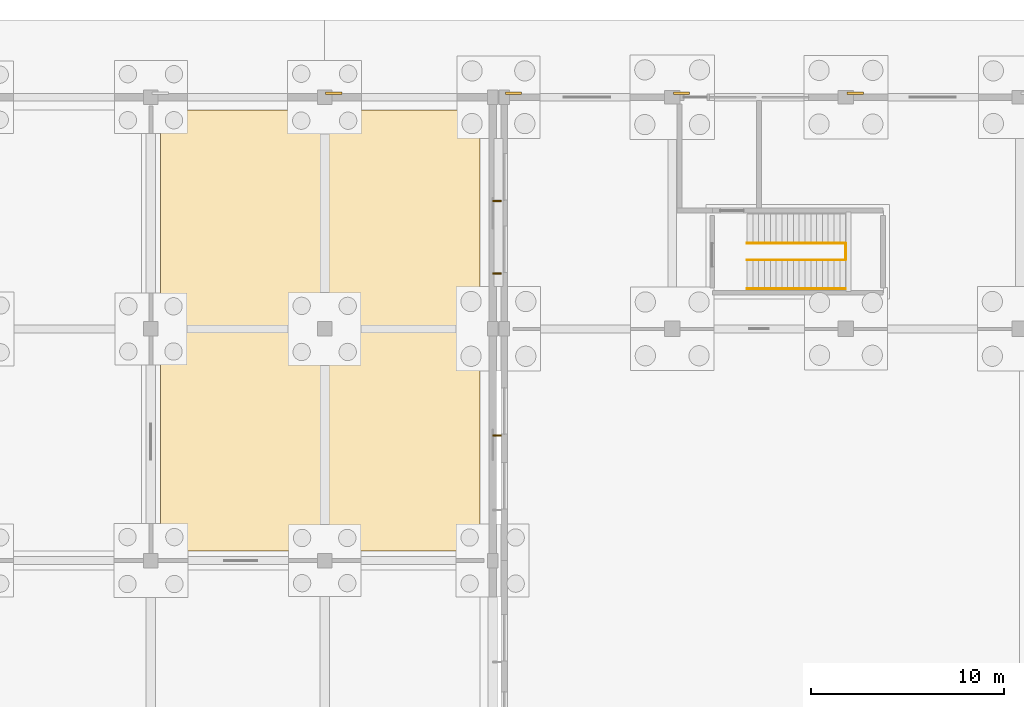
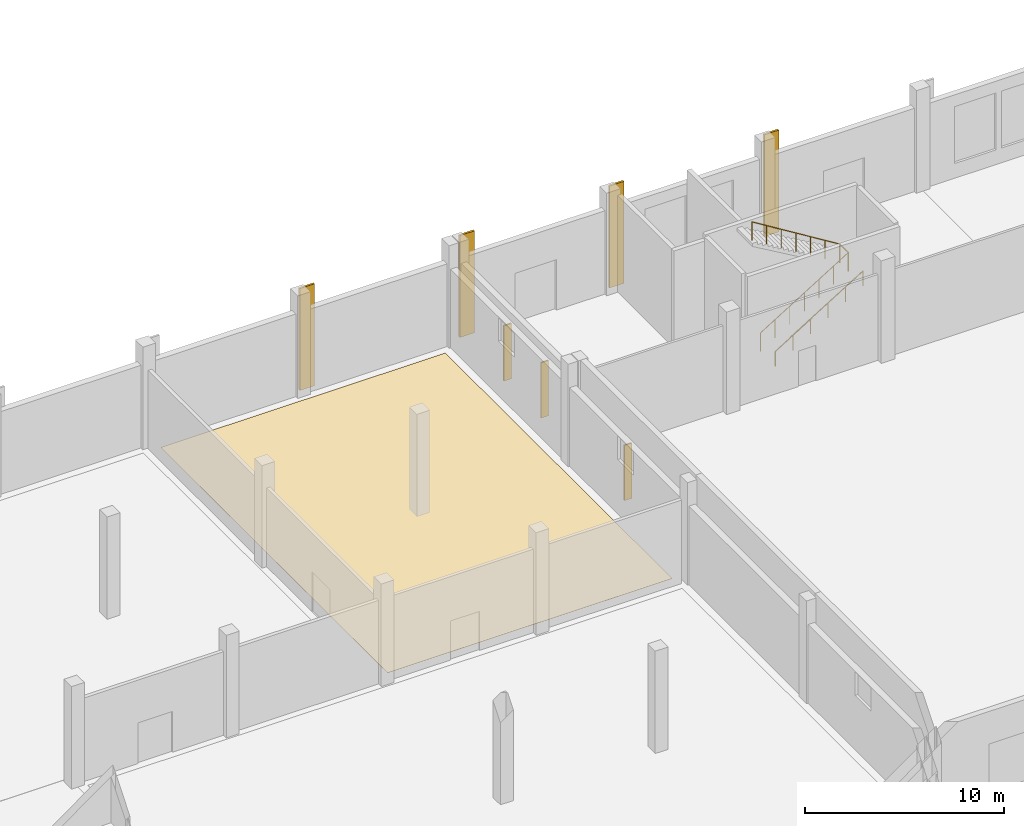
# One storey, part 96 of 99: 5 coverings, 4 railings, 3 shading devices.
"""IFC4 building model written with IfcOpenShell, lengths in metres."""

import ifcopenshell
import ifcopenshell.guid

model = None  # the IFC model being written
_history = None  # IfcOwnerHistory: only IFC2X3 demands one
_inside = {}  # id of a spatial element -> (the spatial element, [elements in it])
_under = {}  # id of a project, library or spatial element -> (it, [spatial elements below it])
_declared = {}  # id of a project -> (the project, [libraries it declares])
_typed = {}  # id of a type object -> (the type object, [elements of that type])
_made_of = {}  # id of a material, layer set ... -> (it, [elements and type objects made of it])


def new_model(schema):
    """Start an empty IFC model of exactly this schema.

    Asked for "IFC4X3", IfcOpenShell would pick the latest addendum, in which some entities
    have other attributes; the version numbers below select the first issue.
    IFC2X3 requires an IfcOwnerHistory on every rooted entity: one is made here for all.
    """
    global model, _history
    if schema == "IFC4X3":
        model = ifcopenshell.file(schema_version=(4, 3, 0, 0))
    else:
        model = ifcopenshell.file(schema=schema)
    _inside.clear()
    _under.clear()
    _declared.clear()
    _typed.clear()
    _made_of.clear()
    _history = None
    if model.schema == "IFC2X3":
        org = make("IfcOrganization", Name="unknown")
        user = make(
            "IfcPersonAndOrganization",
            ThePerson=make("IfcPerson", FamilyName="unknown"),
            TheOrganization=org,
        )
        app = make(
            "IfcApplication",
            ApplicationDeveloper=org,
            Version="unknown",
            ApplicationFullName="unknown",
            ApplicationIdentifier="unknown",
        )
        _history = make(
            "IfcOwnerHistory",
            OwningUser=user,
            OwningApplication=app,
            ChangeAction="ADDED",
            CreationDate=0,
        )
    return model


def make(cls, **values):
    """One entity of the class cls with the attributes given. An attribute that is None is left unset."""
    return model.create_entity(
        cls, **{name: value for name, value in values.items() if value is not None}
    )


def rooted(cls, **values):
    """An entity with a GlobalId (a new one), such as an element, a storey or a relation."""
    return make(cls, GlobalId=ifcopenshell.guid.new(), OwnerHistory=_history, **values)


def si_unit(unit_type, name, prefix=None):
    """IfcSIUnit, for example si_unit("LENGTHUNIT", "METRE", prefix="MILLI")."""
    return make("IfcSIUnit", UnitType=unit_type, Prefix=prefix, Name=name)


def assignment(units):
    """IfcUnitAssignment: the units of a project."""
    return None if units is None else make("IfcUnitAssignment", Units=units)


def point(xyz):
    """IfcCartesianPoint."""
    return None if xyz is None else make("IfcCartesianPoint", Coordinates=xyz)


def direction(xyz):
    """IfcDirection."""
    return None if xyz is None else make("IfcDirection", DirectionRatios=xyz)


def frame(location, z_axis=None, x_axis=None):
    """IfcAxis2Placement3D, a coordinate frame: its origin and axes. An axis left out is left unset."""
    return make(
        "IfcAxis2Placement3D",
        Location=point(location),
        Axis=direction(z_axis),
        RefDirection=direction(x_axis),
    )


def frame_2d(location, x_axis=None):
    """IfcAxis2Placement2D, a coordinate frame in the plane: its origin and x axis."""
    return make(
        "IfcAxis2Placement2D", Location=point(location), RefDirection=direction(x_axis)
    )


def origin():
    """The frame at (0, 0, 0) with its axes left unset."""
    return frame((0.0, 0.0, 0.0))


def origin_2d():
    """The frame at (0, 0) in the plane with its x axis left unset."""
    return frame_2d((0.0, 0.0))


def place(relative_to, where):
    """IfcLocalPlacement: puts the frame where relative to a parent placement (None: the world)."""
    return make(
        "IfcLocalPlacement", PlacementRelTo=relative_to, RelativePlacement=where
    )


def context(
    kind, dimensions, precision=None, world=None, true_north=None, identifier=None
):
    """IfcGeometricRepresentationContext, for example the 3D "Model" context."""
    return make(
        "IfcGeometricRepresentationContext",
        ContextIdentifier=identifier,
        ContextType=kind,
        CoordinateSpaceDimension=dimensions,
        Precision=precision,
        WorldCoordinateSystem=world,
        TrueNorth=true_north,
    )


def subcontext(parent, identifier, kind, view, scale=None):
    """IfcGeometricRepresentationSubContext, for example "Body" below "Model"."""
    return make(
        "IfcGeometricRepresentationSubContext",
        ContextIdentifier=identifier,
        ContextType=kind,
        ParentContext=parent,
        TargetScale=scale,
        TargetView=view,
    )


def project(units=None, contexts=None):
    """IfcProject with its units and contexts."""
    return rooted(
        "IfcProject",
        Name="project",
        RepresentationContexts=contexts,
        UnitsInContext=assignment(units),
    )


def spatial(cls, under=None, at=None, **own):
    """A site, building, storey or space (cls), placed at a placement, below another one or the project."""
    s = rooted(cls, ObjectPlacement=at, **own)
    if under is not None:
        _under.setdefault(under.id(), (under, []))[1].append(s)
    return s


def polyline(points):
    """IfcPolyline through the points."""
    return make("IfcPolyline", Points=[point(p) for p in points])


def profile(cls, at=None, kind="AREA", **sizes):
    """A parametric profile (cls). Its sizes go by their IFC names, for example OverallWidth=200.0."""
    return make(cls, ProfileType=kind, Position=at, **sizes)


def rectangle(**sizes):
    """IfcRectangleProfileDef."""
    return profile("IfcRectangleProfileDef", **sizes)


def circle(**sizes):
    """IfcCircleProfileDef."""
    return profile("IfcCircleProfileDef", **sizes)


def outline(outer, holes=None, kind="AREA"):
    """IfcArbitraryClosedProfileDef: a profile drawn as a closed curve; with holes, ...WithVoids."""
    if holes is None:
        return make("IfcArbitraryClosedProfileDef", ProfileType=kind, OuterCurve=outer)
    return make(
        "IfcArbitraryProfileDefWithVoids",
        ProfileType=kind,
        OuterCurve=outer,
        InnerCurves=holes,
    )


def extrude(swept, where, along, depth):
    """IfcExtrudedAreaSolid: the profile swept, set in the frame where, extruded along a direction by depth."""
    return make(
        "IfcExtrudedAreaSolid",
        SweptArea=swept,
        Position=where,
        ExtrudedDirection=direction(along),
        Depth=depth,
    )


def shape(context_of_items, identifier, shape_type, items):
    """IfcShapeRepresentation: the items that make up one representation, for example the "Body"."""
    return make(
        "IfcShapeRepresentation",
        ContextOfItems=context_of_items,
        RepresentationIdentifier=identifier,
        RepresentationType=shape_type,
        Items=items,
    )


def material(Name=None, Category=None):
    """IfcMaterial."""
    return make("IfcMaterial", Name=Name, Category=Category)


def layer(
    of_material, thickness, ventilated=None, Name=None, Category=None, Priority=None
):
    """IfcMaterialLayer: one layer of a wall or slab, of a material (None: an air gap)."""
    return make(
        "IfcMaterialLayer",
        Material=of_material,
        LayerThickness=thickness,
        IsVentilated=ventilated,
        Name=Name,
        Category=Category,
        Priority=Priority,
    )


def layer_set(layers, Name=None):
    """IfcMaterialLayerSet."""
    return make("IfcMaterialLayerSet", MaterialLayers=layers, LayerSetName=Name)


def made_of(thing, what):
    """Note that an element or type object is made of a material, layer set ...; save() writes the relation."""
    if what is not None:
        _made_of.setdefault(what.id(), (what, []))[1].append(thing)
    return thing


def type_object(cls, material=None, **own):
    """A type object (cls), such as IfcWallType, which elements share."""
    return made_of(rooted(cls, **own), material)


def element(
    cls,
    number,
    at=None,
    inside=None,
    cuts=None,
    type_object=None,
    material=None,
    context=None,
    identifier="Body",
    shape_type=None,
    held_by="IfcProductDefinitionShape",
    body=None,
    shapes=None,
    **own,
):
    """One element of the class cls, such as IfcWall. Its Tag is "e" and its number.

    at: its placement. inside: the storey or other place that contains it. cuts: it is an
    opening in that element (IfcRelVoidsElement). A single representation is given by context,
    identifier, shape_type and body (its items); several are given by shapes. held_by: the class
    of the entity that holds the representations. save() writes the other relations.
    """
    e = rooted(cls, Tag="e%d" % number, ObjectPlacement=at, **own)
    if body is not None:
        shapes = [shape(context, identifier, shape_type, body)]
    if shapes is not None:
        e.Representation = make(held_by, Representations=shapes)
    if inside is not None:
        _inside.setdefault(inside.id(), (inside, []))[1].append(e)
    if cuts is not None:
        rooted(
            "IfcRelVoidsElement", RelatingBuildingElement=cuts, RelatedOpeningElement=e
        )
    if type_object is not None:
        _typed.setdefault(type_object.id(), (type_object, []))[1].append(e)
    return made_of(e, material)


def aggregate(whole, parts):
    """IfcRelAggregates: a whole, such as a stair, and the parts it consists of."""
    return rooted("IfcRelAggregates", RelatingObject=whole, RelatedObjects=parts)


def save(model, path):
    """Write the relations noted so far, then the file.

    IfcRelAggregates (storeys below a building ...), IfcRelContainedInSpatialStructure (elements
    in a storey), IfcRelDefinesByType, IfcRelAssociatesMaterial and IfcRelDeclares: one each for
    every whole, place, type object, material and project.
    """
    for whole, parts in _under.values():
        aggregate(whole, parts)
    for where, things in _inside.values():
        rooted(
            "IfcRelContainedInSpatialStructure",
            RelatedElements=things,
            RelatingStructure=where,
        )
    for kind, things in _typed.values():
        rooted("IfcRelDefinesByType", RelatedObjects=things, RelatingType=kind)
    for what, things in _made_of.values():
        rooted("IfcRelAssociatesMaterial", RelatedObjects=things, RelatingMaterial=what)
    for by, libraries in _declared.values():
        rooted("IfcRelDeclares", RelatingContext=by, RelatedDefinitions=libraries)
    model.write(path)


model = new_model("IFC4")

# Units and contexts
model_context = context("Model", 3, precision=1e-05, world=origin(), true_north=direction((0.0, 1.0)))
body_context = subcontext(model_context, "Body", "Model", "MODEL_VIEW")
ifc_project = project(units=[si_unit("LENGTHUNIT", "METRE"), si_unit("AREAUNIT", "SQUARE_METRE"), si_unit("VOLUMEUNIT", "CUBIC_METRE"), si_unit("PLANEANGLEUNIT", "RADIAN"), si_unit("MASSUNIT", "GRAM", prefix="KILO")], contexts=[model_context])

# Site, building, storey
site_placement = place(None, origin())
site = spatial("IfcSite", under=ifc_project, at=site_placement, CompositionType="ELEMENT")
building_placement = place(site_placement, origin())
building = spatial("IfcBuilding", under=site, at=building_placement, Name="Zacnel Wholesale Market", CompositionType="ELEMENT")
storey_placement = place(building_placement, origin())
storey = spatial("IfcBuildingStorey", under=building, at=storey_placement, Name="L01", CompositionType="ELEMENT", Elevation=0.0)

# Coverings
ifc_material_1 = material(Name="Honed Yucatan Maya cream limestone", Category="masonry")
ifc_layer_1 = layer(ifc_material_1, 0.090087890625)
ifc_layer_set_1 = layer_set([ifc_layer_1], Name="Honed Yucatan Maya cream limestone")
covering_type_1 = type_object("IfcCoveringType", Name="COV-CLAD-FRET", PredefinedType="CLADDING", material=ifc_layer_set_1)
for number, where, z_axis, x_axis, name in (
    (1, (63.47998046875, 144.2099609375, 0.02001953125), (0.0, 0.0, 1.0), (1.0, 0.0, 0.0), "Fluted Mayan-Deco limestone pilaster L01-0025"),
    (2, (72.780029296875, 144.2099609375, 0.02001953125), (0.0, 0.0, 1.0), (1.0, 0.0, 0.0), "Fluted Mayan-Deco limestone pilaster L01-0062"),
    (3, (81.47998046875, 144.2099609375, 0.02001953125), (0.0, 0.0, 1.0), (1.0, 0.0, 0.0), "Fluted Mayan-Deco limestone pilaster L01-0063"),
    (4, (90.47998046875, 144.2099609375, 0.02001953125), (0.0, 0.0, 1.0), (1.0, 0.0, 0.0), "Fluted Mayan-Deco limestone pilaster L01-0064"),
):
    element("IfcCovering", number, at=place(storey_placement, frame(where, z_axis=z_axis, x_axis=x_axis)), inside=storey, type_object=covering_type_1, Name=name, PredefinedType="CLADDING", context=body_context, shape_type="SweptSolid", body=[
        extrude(rectangle(XDim=0.85009765625, YDim=0.1201171875, at=origin_2d()), origin(), (0.0, 0.0, 1.0), 6.260009765625),
    ])
ifc_material_2 = material(Name="Food-grade epoxy resin flooring")
ifc_layer_2 = layer(ifc_material_2, 0.011962890625)
ifc_layer_set_2 = layer_set([ifc_layer_2], Name="Food-grade epoxy resin flooring")
covering_type_2 = type_object("IfcCoveringType", Name="COV-FLR-EPOXY-12", PredefinedType="FLOORING", material=ifc_layer_set_2)
covering_placement = place(storey_placement, origin())
element("IfcCovering", 5, at=covering_placement, inside=storey, type_object=covering_type_2, Name="Hygienic epoxy floor finish L01-316", PredefinedType="FLOORING", context=body_context, shape_type="SweptSolid", body=[
    extrude(outline(polyline([(54.5, 120.5), (71.050048828125, 120.5), (71.050048828125, 143.35009765625), (54.5, 143.35009765625), (54.5, 120.5)])), origin(), (0.0, 0.0, 1.0), 0.011962890625),
])

# Railings
ifc_material_3 = material(Name="Galvanized steel", Category="steel")
railing_type_1 = type_object("IfcRailingType", Name="RAL-HANDRAIL-920", PredefinedType="HANDRAIL", material=ifc_material_3)
railing_1_placement = place(storey_placement, frame((84.8798828125, 134.080078125, 0.0)))
element("IfcRailing", 6, at=railing_1_placement, inside=storey, type_object=railing_type_1, Name="Stair ST-20 wall handrail", PredefinedType="HANDRAIL", context=body_context, shape_type="SweptSolid", body=[
    extrude(circle(Radius=0.02099609375, at=origin_2d()), frame((0.0, 0.0, 0.89892578125), z_axis=(0.850809779473, 0.0, 0.52547380444), x_axis=(0.0, 1.0, 0.0)), (0.0, 0.0, 1.0), 5.994384765625),
    extrude(circle(Radius=0.01806640625, at=origin_2d()), origin(), (0.0, 0.0, 1.0), 0.8779296875),
    extrude(circle(Radius=0.01806640625, at=origin_2d()), frame((1.02001953125, 0.0, 0.6298828125)), (0.0, 0.0, 1.0), 0.8779296875),
    extrude(circle(Radius=0.01806640625, at=origin_2d()), frame((2.0400390625, 0.0, 1.260009765625)), (0.0, 0.0, 1.0), 0.8779296875),
    extrude(circle(Radius=0.01806640625, at=origin_2d()), frame((3.06005859375, 0.0, 1.889892578125)), (0.0, 0.0, 1.0), 0.8779296875),
    extrude(circle(Radius=0.01806640625, at=origin_2d()), frame((4.080078125, 0.0, 2.52001953125)), (0.0, 0.0, 1.0), 0.8779296875),
    extrude(circle(Radius=0.01806640625, at=origin_2d()), frame((5.10009765625, 0.0, 3.14990234375)), (0.0, 0.0, 1.0), 0.8779296875),
])
ifc_material_4 = material(Name="Galvanized steel", Category="steel")
railing_type_2 = type_object("IfcRailingType", Name="RAL-STAIR-GD1150", PredefinedType="BALUSTRADE", material=ifc_material_4)
railing_2_placement = place(storey_placement, frame((84.8798828125, 135.570068359375, 0.0)))
element("IfcRailing", 7, at=railing_2_placement, inside=storey, type_object=railing_type_2, Name="Stair balustrade INT-STAIR-ST-20-GDIN-1", PredefinedType="BALUSTRADE", context=body_context, shape_type="SweptSolid", body=[
    extrude(circle(Radius=0.02392578125, at=origin_2d()), frame((0.0, 0.0, 1.1259765625), z_axis=(0.850809779473, 0.0, 0.52547380444), x_axis=(0.0, 1.0, 0.0)), (0.0, 0.0, 1.0), 5.994384765625),
    extrude(circle(Radius=0.02099609375, at=origin_2d()), origin(), (0.0, 0.0, 1.0), 1.101806640625),
    extrude(circle(Radius=0.02099609375, at=origin_2d()), frame((0.85009765625, 0.0, 0.52490234375)), (0.0, 0.0, 1.0), 1.101806640625),
    extrude(circle(Radius=0.02099609375, at=origin_2d()), frame((1.699951171875, 0.0, 1.050048828125)), (0.0, 0.0, 1.0), 1.101806640625),
    extrude(circle(Radius=0.02099609375, at=origin_2d()), frame((2.550048828125, 0.0, 1.574951171875)), (0.0, 0.0, 1.0), 1.101806640625),
    extrude(circle(Radius=0.02099609375, at=origin_2d()), frame((3.400146484375, 0.0, 2.099853515625)), (0.0, 0.0, 1.0), 1.101806640625),
    extrude(circle(Radius=0.02099609375, at=origin_2d()), frame((4.25, 0.0, 2.625)), (0.0, 0.0, 1.0), 1.101806640625),
    extrude(circle(Radius=0.02099609375, at=origin_2d()), frame((5.10009765625, 0.0, 3.14990234375)), (0.0, 0.0, 1.0), 1.101806640625),
])
railing_3_placement = place(storey_placement, frame((89.97998046875, 135.570068359375, 3.14990234375)))
element("IfcRailing", 8, at=railing_3_placement, inside=storey, type_object=railing_type_2, Name="Stair balustrade INT-STAIR-ST-20-GDIN-2", PredefinedType="BALUSTRADE", context=body_context, shape_type="SweptSolid", body=[
    extrude(circle(Radius=0.02392578125, at=origin_2d()), frame((0.0, 0.0, 1.1259765625), z_axis=(0.0, 1.0, 0.0), x_axis=(-1.0, 0.0, 0.0)), (0.0, 0.0, 1.0), 0.85986328125),
    extrude(circle(Radius=0.02099609375, at=origin_2d()), origin(), (0.0, 0.0, 1.0), 1.101806640625),
    extrude(circle(Radius=0.02099609375, at=origin_2d()), frame((0.0, 0.85986328125, 0.0)), (0.0, 0.0, 1.0), 1.101806640625),
])
railing_4_placement = place(storey_placement, frame((89.97998046875, 136.429931640625, 3.14990234375)))
element("IfcRailing", 9, at=railing_4_placement, inside=storey, type_object=railing_type_2, Name="Stair balustrade INT-STAIR-ST-20-GDIN-3", PredefinedType="BALUSTRADE", context=body_context, shape_type="SweptSolid", body=[
    extrude(circle(Radius=0.02392578125, at=origin_2d()), frame((0.0, 0.0, 1.1259765625), z_axis=(-0.850791570709, 0.0, 0.525503285632), x_axis=(0.0, -1.0, 0.0)), (0.0, 0.0, 1.0), 5.99462890625),
    extrude(circle(Radius=0.02099609375, at=origin_2d()), origin(), (0.0, 0.0, 1.0), 1.101806640625),
    extrude(circle(Radius=0.02099609375, at=origin_2d()), frame((-0.85009765625, 0.0, 0.52490234375)), (0.0, 0.0, 1.0), 1.101806640625),
    extrude(circle(Radius=0.02099609375, at=origin_2d()), frame((-1.699951171875, 0.0, 1.050048828125)), (0.0, 0.0, 1.0), 1.101806640625),
    extrude(circle(Radius=0.02099609375, at=origin_2d()), frame((-2.550048828125, 0.0, 1.5751953125)), (0.0, 0.0, 1.0), 1.101806640625),
    extrude(circle(Radius=0.02099609375, at=origin_2d()), frame((-3.400146484375, 0.0, 2.10009765625)), (0.0, 0.0, 1.0), 1.101806640625),
    extrude(circle(Radius=0.02099609375, at=origin_2d()), frame((-4.25, 0.0, 2.625)), (0.0, 0.0, 1.0), 1.101806640625),
    extrude(circle(Radius=0.02099609375, at=origin_2d()), frame((-5.10009765625, 0.0, 3.150146484375)), (0.0, 0.0, 1.0), 1.101806640625),
])

# Shading devices
ifc_material_5 = material(Name="Honed Yucatan Maya cream limestone", Category="masonry")
shading_device_type = type_object("IfcShadingDeviceType", Name="SHD-FIN-V450", PredefinedType="USERDEFINED", material=ifc_material_5)
for number, where, z_axis, x_axis, name in (
    (10, (71.919921875, 126.489990234375, 0.949951171875), (0.0, 0.0, 1.0), (0.0, 1.0, 0.0), "Limestone sunshade fin 0086"),
    (11, (71.919921875, 134.864990234375, 0.949951171875), (0.0, 0.0, 1.0), (0.0, 1.0, 0.0), "Limestone sunshade fin 0087"),
    (12, (71.919921875, 138.614990234375, 0.949951171875), (0.0, 0.0, 1.0), (0.0, 1.0, 0.0), "Limestone sunshade fin 0088"),
):
    element("IfcShadingDevice", number, at=place(storey_placement, frame(where, z_axis=z_axis, x_axis=x_axis)), inside=storey, type_object=shading_device_type, Name=name, ObjectType="SUNSHADE", PredefinedType="USERDEFINED", context=body_context, shape_type="SweptSolid", body=[
        extrude(rectangle(XDim=0.080078125, YDim=0.43994140625, at=origin_2d()), origin(), (0.0, 0.0, 1.0), 3.39990234375),
    ])

save(model, "model.ifc")
